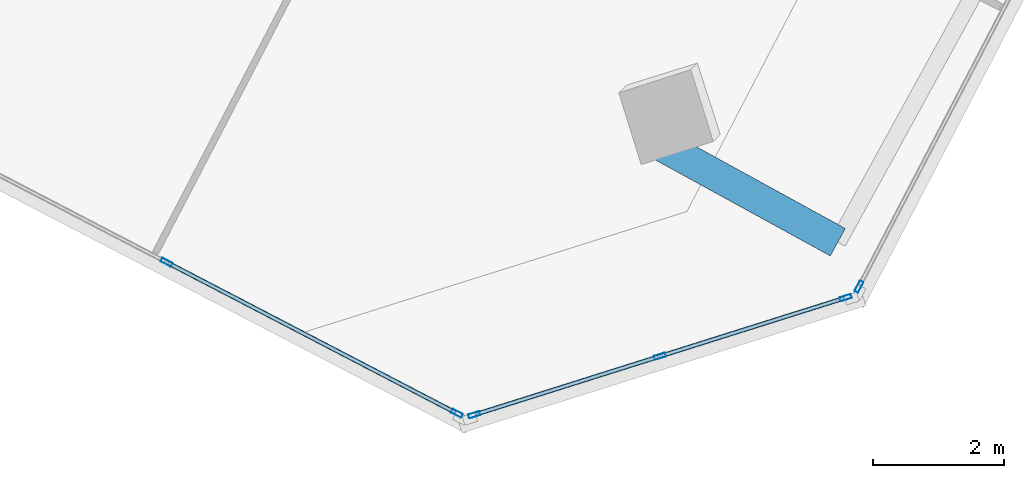
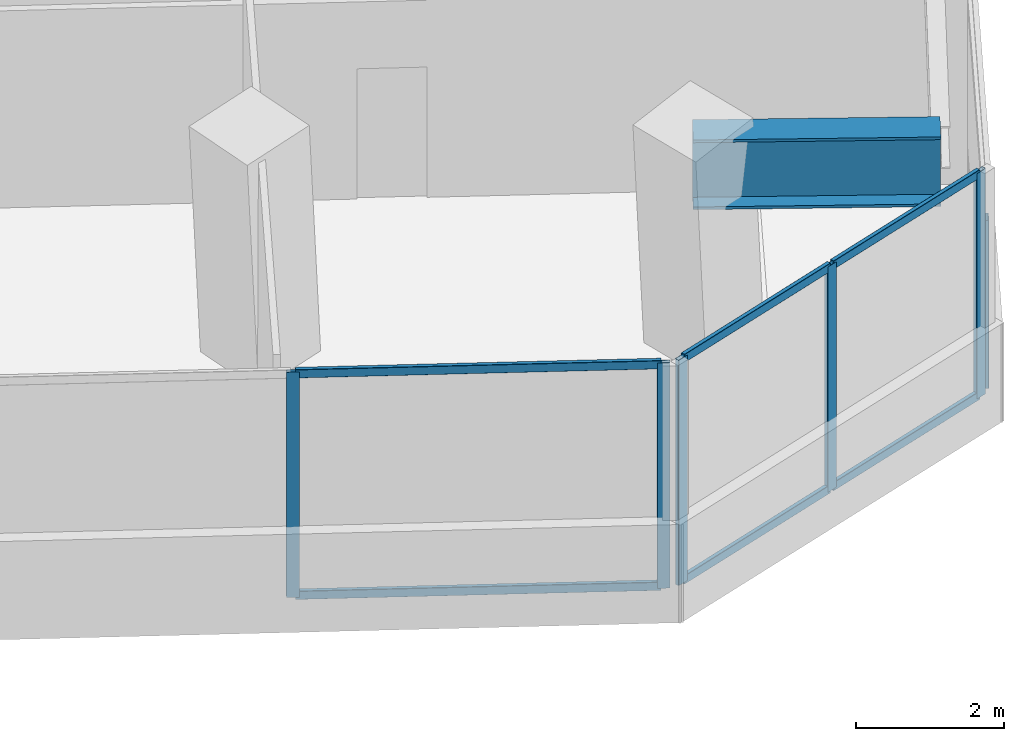
# One storey, part 7 of 22: 12 members, 1 beam, 3 elements without a shape of their own.
"""IFC4 building model written with IfcOpenShell, lengths in metres."""

from ifc_helpers import new_model, si_unit, direction, frame, origin, origin_2d, place, context, subcontext, project, spatial, hollow_rectangle, i_section, extrude, source, transform, mapped, material, material_profile, profile_set, type_object, element, aggregate, save


model = new_model("IFC4")

# Units and contexts
model_context = context("Model", 3, precision=1e-05, world=origin(), true_north=direction((0.0, 1.0)))
body_context = subcontext(model_context, "Body", "Model", "MODEL_VIEW")
ifc_project = project(units=[si_unit("LENGTHUNIT", "METRE"), si_unit("AREAUNIT", "SQUARE_METRE"), si_unit("VOLUMEUNIT", "CUBIC_METRE"), si_unit("PLANEANGLEUNIT", "RADIAN"), si_unit("MASSUNIT", "GRAM", prefix="KILO")], contexts=[model_context])

# Site, building, storey
site_placement = place(None, origin())
site = spatial("IfcSite", under=ifc_project, at=site_placement, CompositionType="ELEMENT")
building_placement = place(site_placement, origin())
building = spatial("IfcBuilding", under=site, at=building_placement, Name="Torre Montelarca", CompositionType="ELEMENT")
storey_placement = place(building_placement, frame((0.0, 0.0, 170.800048828125)))
storey = spatial("IfcBuildingStorey", under=building, at=storey_placement, Name="L38", CompositionType="ELEMENT", Elevation=170.800048828125)

# Beam
ifc_material_1 = material(Name="Steel ASTM A572 Grade 50", Category="steel")
ifc_material_profile_1 = material_profile(ifc_material_1, i_section(OverallWidth=0.47998046875, OverallDepth=1.14990234375, WebThickness=0.02197265625, FlangeThickness=0.044921875, at=origin_2d()), Name="PG1150X480X22X45", Category="steel")
ifc_profile_set_1 = profile_set([ifc_material_profile_1], Name="Steel ASTM A572 Grade 50")
beam_type = type_object("IfcBeamType", Name="BM-CG-PG1400-EXT", PredefinedType="USERDEFINED", material=ifc_profile_set_1)
shared_shape_1 = source(origin(), body_context, "Body", "SweptSolid", [
    extrude(i_section(OverallWidth=0.47998046875, OverallDepth=1.14990234375, WebThickness=0.02197265625, FlangeThickness=0.044921875, at=origin_2d()), origin(), (0.0, 0.0, 1.0), 3.35009765625),
])
beam_placement = place(storey_placement, frame((40.88525390625, 12.239990234375, 3.385009765625), z_axis=(0.87674005002, -0.480964535793, 0.0), x_axis=(0.480964535793, 0.87674005002, 0.0)))
element("IfcBeam", 1, at=beam_placement, inside=storey, type_object=beam_type, Name="L38 Sliding Tray Cantilever Girder East Y=24m (FLR)", ObjectType="CANTILEVER GIRDER", PredefinedType="USERDEFINED", context=body_context, shape_type="MappedRepresentation", body=[
    mapped(shared_shape_1, transform((0.0, 0.0, 0.0), scale=1.0)),
])

# Curtain wall, members
ifc_material_2 = material(Name="Insulated low-E laminated glass", Category="glass")
curtain_wall_type = type_object("IfcCurtainWallType", Name="CW-SYS-Z2", PredefinedType="USERDEFINED", material=ifc_material_2)
curtain_wall_1_placement = place(storey_placement, origin())
curtain_wall_1 = element("IfcCurtainWall", 2, at=curtain_wall_1_placement, inside=storey, type_object=curtain_wall_type, Name="L38 Curtain Wall Run CW-T3-L38-E05-B1", ObjectType="UNITISED GLAZING", PredefinedType="USERDEFINED")
ifc_material_3 = material(Name="Anodised aluminium AA 6063-T6", Category="aluminium")
ifc_material_profile_2 = material_profile(ifc_material_3, hollow_rectangle(XDim=0.06494140625, YDim=0.139892578125, WallThickness=0.00390625, InnerFilletRadius=0.00390625, OuterFilletRadius=0.008056640625, at=origin_2d()), Name="ALU65X140X4", Category="aluminium")
ifc_profile_set_2 = profile_set([ifc_material_profile_2], Name="Anodised aluminium AA 6063-T6")
member_type_1 = type_object("IfcMemberType", Name="CWT-ALU140", PredefinedType="USERDEFINED", material=ifc_profile_set_2)
shared_shape_2 = source(origin(), body_context, "Body", "SweptSolid", [
    extrude(hollow_rectangle(XDim=0.06494140625, YDim=0.139892578125, WallThickness=0.00390625, InnerFilletRadius=0.00390625, OuterFilletRadius=0.008056640625, at=origin_2d()), origin(), (0.0, 0.0, 1.0), 2.918701171875),
])
member_1_placement = place(storey_placement, frame((38.282470703125, 7.993408203125, 0.032470703125), z_axis=(0.953717833294, 0.300703000412, 0.0), x_axis=(-0.300703000412, 0.953717833294, 0.0)))
member_1 = element("IfcMember", 3, at=member_1_placement, type_object=member_type_1, Name="CW transom 1.1", ObjectType="TRANSOM", PredefinedType="USERDEFINED", context=body_context, shape_type="MappedRepresentation", body=[
    mapped(shared_shape_2, transform((0.0, 0.0, 0.0), scale=1.0)),
])
member_2_placement = place(storey_placement, frame((38.282470703125, 7.993408203125, 3.6875), z_axis=(0.953717833294, 0.300703000412, 0.0), x_axis=(-0.300703000412, 0.953717833294, 0.0)))
member_2 = element("IfcMember", 4, at=member_2_placement, type_object=member_type_1, Name="CW transom 1.2", ObjectType="TRANSOM", PredefinedType="USERDEFINED", context=body_context, shape_type="MappedRepresentation", body=[
    mapped(shared_shape_2, transform((0.0, 0.0, 0.0), scale=1.0)),
])
shared_shape_3 = source(origin(), body_context, "Body", "SweptSolid", [
    extrude(hollow_rectangle(XDim=0.06494140625, YDim=0.139892578125, WallThickness=0.00390625, InnerFilletRadius=0.00390625, OuterFilletRadius=0.008056640625, at=origin_2d()), origin(), (0.0, 0.0, 1.0), 2.91845703125),
])
member_3_placement = place(storey_placement, frame((41.128173828125, 8.890625, 0.032470703125), z_axis=(0.953734258379, 0.300650901203, 0.0), x_axis=(-0.300650901203, 0.953734258379, 0.0)))
member_3 = element("IfcMember", 5, at=member_3_placement, type_object=member_type_1, Name="CW transom 2.1", ObjectType="TRANSOM", PredefinedType="USERDEFINED", context=body_context, shape_type="MappedRepresentation", body=[
    mapped(shared_shape_3, transform((0.0, 0.0, 0.0), scale=1.0)),
])
member_4_placement = place(storey_placement, frame((41.128173828125, 8.890625, 3.6875), z_axis=(0.953734258379, 0.300650901203, 0.0), x_axis=(-0.300650901203, 0.953734258379, 0.0)))
member_4 = element("IfcMember", 6, at=member_4_placement, type_object=member_type_1, Name="CW transom 2.2", ObjectType="TRANSOM", PredefinedType="USERDEFINED", context=body_context, shape_type="MappedRepresentation", body=[
    mapped(shared_shape_3, transform((0.0, 0.0, 0.0), scale=1.0)),
])

curtain_wall_2_placement = place(storey_placement, origin())
curtain_wall_2 = element("IfcCurtainWall", 7, at=curtain_wall_2_placement, inside=storey, type_object=curtain_wall_type, Name="L38 Curtain Wall Run CW-T3-L38-E04-B1", ObjectType="UNITISED GLAZING", PredefinedType="USERDEFINED")
ifc_material_profile_3 = material_profile(ifc_material_3, hollow_rectangle(XDim=0.06494140625, YDim=0.179931640625, WallThickness=0.00390625, InnerFilletRadius=0.00390625, OuterFilletRadius=0.008056640625, at=origin_2d()), Name="ALU65X180X4", Category="aluminium")
ifc_profile_set_3 = profile_set([ifc_material_profile_3], Name="Anodised aluminium AA 6063-T6")
member_type_2 = type_object("IfcMemberType", Name="CWM-ALU180", PredefinedType="MULLION", material=ifc_profile_set_3)
shared_shape_4 = source(origin(), body_context, "Body", "SweptSolid", [
    extrude(hollow_rectangle(XDim=0.06494140625, YDim=0.179931640625, WallThickness=0.00390625, InnerFilletRadius=0.00390625, OuterFilletRadius=0.008056640625, at=origin_2d()), origin(), (0.0, 0.0, 1.0), 3.719970703125),
])
member_5_placement = place(storey_placement, frame((33.538330078125, 10.322021484375, 0.0), z_axis=(0.0, 0.0, 1.0), x_axis=(0.461743609762, 0.887013437803, 0.0)))
member_5 = element("IfcMember", 8, at=member_5_placement, type_object=member_type_2, Name="CW mullion 2", PredefinedType="MULLION", context=body_context, shape_type="MappedRepresentation", body=[
    mapped(shared_shape_4, transform((0.0, 0.0, 0.0), scale=1.0)),
])
member_6_placement = place(storey_placement, frame((37.985595703125, 8.0068359375, 0.0), z_axis=(0.0, 0.0, 1.0), x_axis=(0.461743609762, 0.887013437803, 0.0)))
member_6 = element("IfcMember", 9, at=member_6_placement, type_object=member_type_2, Name="CW mullion 3", PredefinedType="MULLION", context=body_context, shape_type="MappedRepresentation", body=[
    mapped(shared_shape_4, transform((0.0, 0.0, 0.0), scale=1.0)),
])

# Member
member_7_placement = place(storey_placement, frame((38.25146484375, 7.983642578125, 0.0), z_axis=(0.0, 0.0, 1.0), x_axis=(-0.300679111938, 0.953725364895, 0.0)))
member_7 = element("IfcMember", 10, at=member_7_placement, type_object=member_type_2, Name="CW mullion 1", PredefinedType="MULLION", context=body_context, shape_type="MappedRepresentation", body=[
    mapped(shared_shape_4, transform((0.0, 0.0, 0.0), scale=1.0)),
])

member_8_placement = place(storey_placement, frame((41.09716796875, 8.880859375, 0.0), z_axis=(0.0, 0.0, 1.0), x_axis=(-0.300679111938, 0.953725364895, 0.0)))
member_8 = element("IfcMember", 11, at=member_8_placement, type_object=member_type_2, Name="CW mullion 2", PredefinedType="MULLION", context=body_context, shape_type="MappedRepresentation", body=[
    mapped(shared_shape_4, transform((0.0, 0.0, 0.0), scale=1.0)),
])

member_9_placement = place(storey_placement, frame((43.942626953125, 9.77783203125, 0.0), z_axis=(0.0, 0.0, 1.0), x_axis=(-0.300679111938, 0.953725364895, 0.0)))
member_9 = element("IfcMember", 12, at=member_9_placement, type_object=member_type_2, Name="CW mullion 3", PredefinedType="MULLION", context=body_context, shape_type="MappedRepresentation", body=[
    mapped(shared_shape_4, transform((0.0, 0.0, 0.0), scale=1.0)),
])

aggregate(curtain_wall_1, [member_7, member_8, member_9, member_1, member_2, member_3, member_4])

# Curtain wall, member
curtain_wall_3_placement = place(storey_placement, origin())
curtain_wall_3 = element("IfcCurtainWall", 13, at=curtain_wall_3_placement, inside=storey, type_object=curtain_wall_type, Name="L38 Curtain Wall Run CW-T3-L38-E06-B1", ObjectType="UNITISED GLAZING", PredefinedType="USERDEFINED")
shared_shape_5 = source(origin(), body_context, "Body", "SweptSolid", [
    extrude(hollow_rectangle(XDim=0.06494140625, YDim=0.179931640625, WallThickness=0.00390625, InnerFilletRadius=0.00390625, OuterFilletRadius=0.008056640625, at=origin_2d()), origin(), (0.0, 0.0, 1.0), 2.77490234375),
])
member_10_placement = place(storey_placement, frame((44.147216796875, 9.949462890625, 0.0), z_axis=(0.0, 0.0, 1.0), x_axis=(-0.887014000849, 0.461742528145, 0.0)))
member_10 = element("IfcMember", 14, at=member_10_placement, type_object=member_type_2, Name="CW mullion 1", PredefinedType="MULLION", context=body_context, shape_type="MappedRepresentation", body=[
    mapped(shared_shape_5, transform((0.0, 0.0, 0.0), scale=1.0)),
])
aggregate(curtain_wall_3, [member_10])

# Member
shared_shape_6 = source(origin(), body_context, "Body", "SweptSolid", [
    extrude(hollow_rectangle(XDim=0.06494140625, YDim=0.139892578125, WallThickness=0.00390625, InnerFilletRadius=0.00390625, OuterFilletRadius=0.008056640625, at=origin_2d()), origin(), (0.0, 0.0, 1.0), 4.948486328125),
])
member_11_placement = place(storey_placement, frame((33.5673828125, 10.306884765625, 0.032470703125), z_axis=(0.887016390061, -0.461737938405, 0.0), x_axis=(0.461737938405, 0.887016390061, 0.0)))
member_11 = element("IfcMember", 15, at=member_11_placement, type_object=member_type_1, Name="CW transom 2.1", ObjectType="TRANSOM", PredefinedType="USERDEFINED", context=body_context, shape_type="MappedRepresentation", body=[
    mapped(shared_shape_6, transform((0.0, 0.0, 0.0), scale=1.0)),
])

member_12_placement = place(storey_placement, frame((33.5673828125, 10.306884765625, 3.6875), z_axis=(0.887016390061, -0.461737938405, 0.0), x_axis=(0.461737938405, 0.887016390061, 0.0)))
member_12 = element("IfcMember", 16, at=member_12_placement, type_object=member_type_1, Name="CW transom 2.2", ObjectType="TRANSOM", PredefinedType="USERDEFINED", context=body_context, shape_type="MappedRepresentation", body=[
    mapped(shared_shape_6, transform((0.0, 0.0, 0.0), scale=1.0)),
])

aggregate(curtain_wall_2, [member_5, member_6, member_11, member_12])

save(model, "model.ifc")
